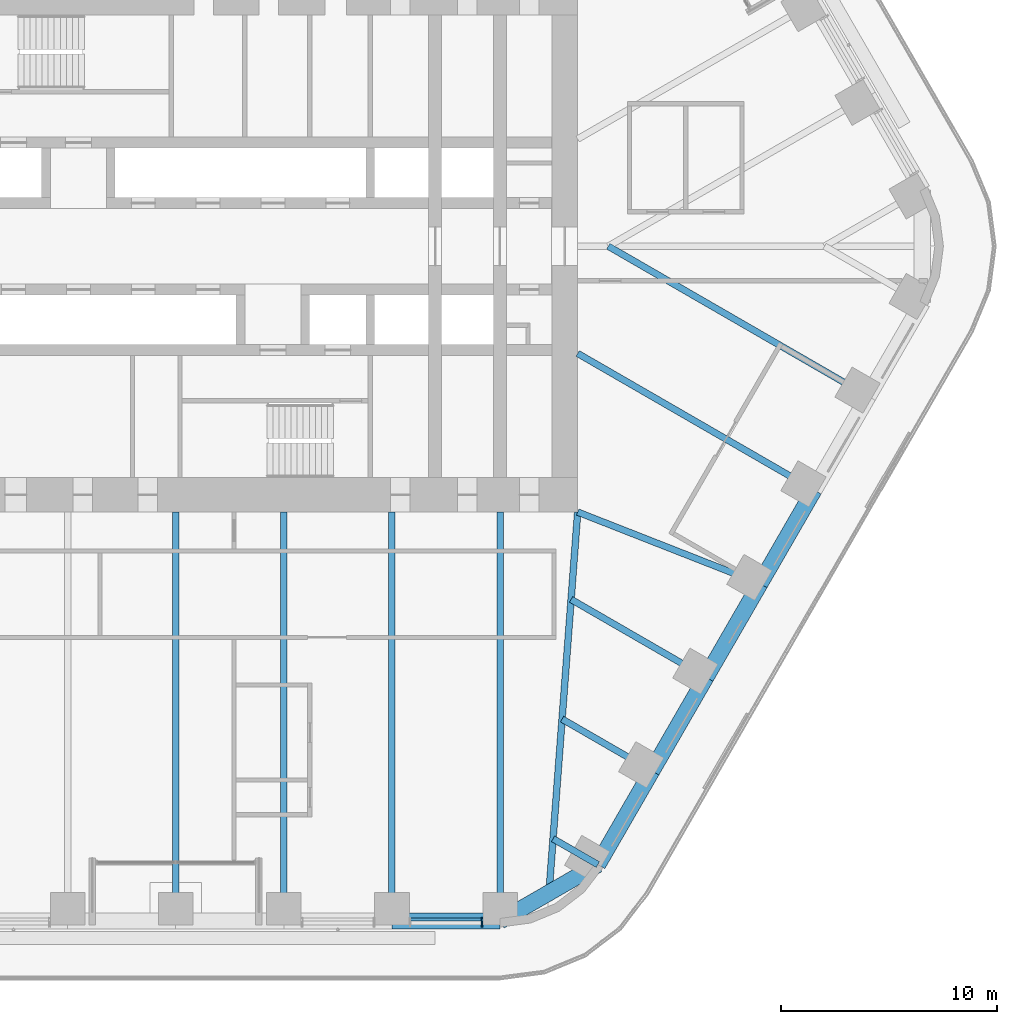
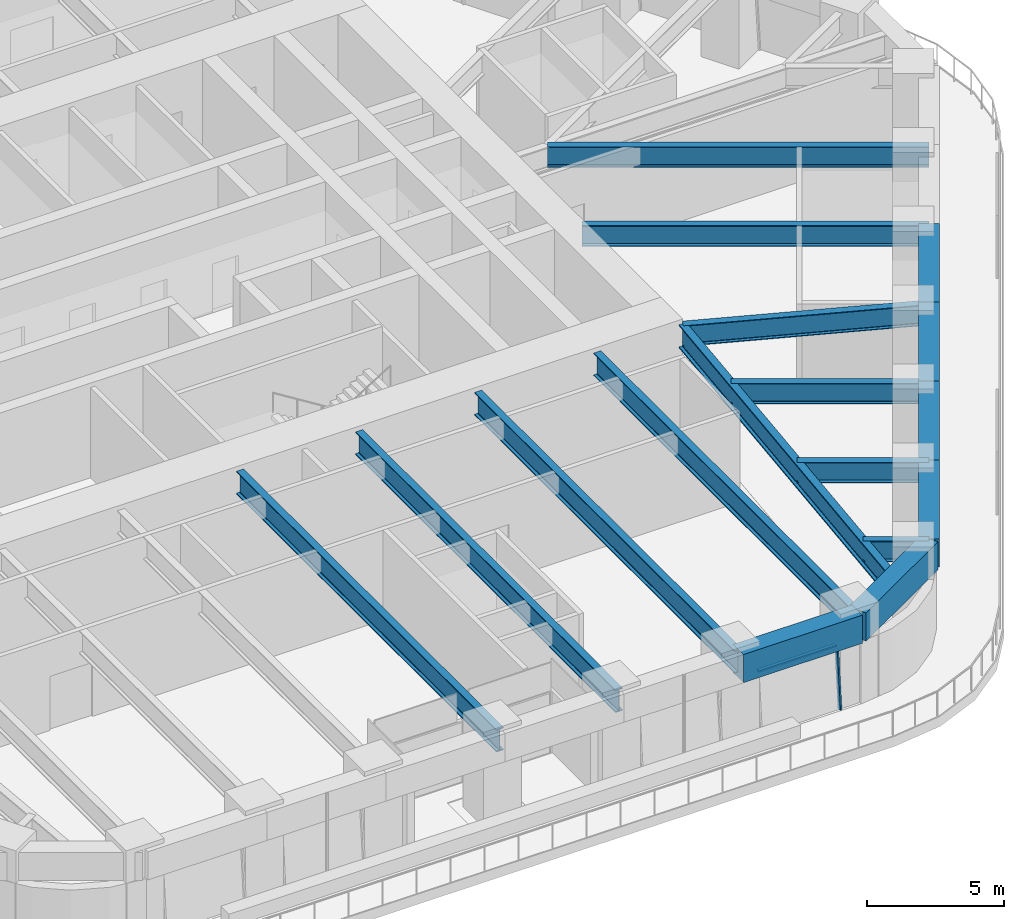
# One storey, part 5 of 24: 17 beams, 2 members, 1 element without a shape of its own.
"""IFC4 building model written with IfcOpenShell, lengths in metres."""

from ifc_helpers import new_model, si_unit, direction, frame, origin, origin_2d, place, context, subcontext, project, spatial, rectangle, i_section, extrude, material, material_profile, profile_set, type_object, element, aggregate, save


model = new_model("IFC4")

# Units and contexts
model_context = context("Model", 3, precision=1e-05, world=origin(), true_north=direction((0.0, 1.0)))
body_context = subcontext(model_context, "Body", "Model", "MODEL_VIEW")
ifc_project = project(units=[si_unit("LENGTHUNIT", "METRE"), si_unit("AREAUNIT", "SQUARE_METRE"), si_unit("VOLUMEUNIT", "CUBIC_METRE"), si_unit("PLANEANGLEUNIT", "RADIAN"), si_unit("MASSUNIT", "GRAM", prefix="KILO")], contexts=[model_context])

# Site, building, storey
site_placement = place(None, origin())
site = spatial("IfcSite", under=ifc_project, at=site_placement, CompositionType="ELEMENT")
building_placement = place(site_placement, origin())
building = spatial("IfcBuilding", under=site, at=building_placement, Name="Tarfa Lantern Tower", CompositionType="ELEMENT")
storey_placement = place(building_placement, frame((0.0, 0.0, 153.10009765625)))
storey = spatial("IfcBuildingStorey", under=building, at=storey_placement, Name="L34", CompositionType="ELEMENT", Elevation=153.10009765625)

# Curtain wall, members
ifc_material_1 = material(Name="Aluminium framed curtain wall", Category="aluminium")
curtain_wall_type = type_object("IfcCurtainWallType", Name="CW2 CANTED GLAZING MID ZONE 2750", PredefinedType="USERDEFINED", material=ifc_material_1)
curtain_wall_placement = place(storey_placement, origin())
curtain_wall = element("IfcCurtainWall", 1, at=curtain_wall_placement, inside=storey, type_object=curtain_wall_type, Name="CW2 SB L34", ObjectType="CURTAIN WALL", PredefinedType="USERDEFINED")
ifc_material_2 = material(Name="Aluminium mullion", Category="aluminium")
ifc_material_profile_1 = material_profile(ifc_material_2, rectangle(XDim=0.06494140625, YDim=0.199951171875, at=origin_2d()), Name="AL MULLION 65x200")
ifc_profile_set_1 = profile_set([ifc_material_profile_1], Name="Aluminium mullion")
member_type_1 = type_object("IfcMemberType", Name="CWM1 MULLION 65x200", PredefinedType="MULLION", material=ifc_profile_set_1)
member_1_placement = place(storey_placement, frame((14.1787109375, -31.39990234375, 0.0), z_axis=(0.0, 0.090535746043, 0.995893206468), x_axis=(-1.0, 0.0, 0.0)))
member_1 = element("IfcMember", 2, at=member_1_placement, type_object=member_type_1, Name="CW2 mullion 2", PredefinedType="MULLION", context=body_context, shape_type="SweptSolid", body=[
    extrude(rectangle(XDim=0.06494140625, YDim=0.199951171875, at=origin_2d()), origin(), (0.0, 0.0, 1.0), 2.76123046875),
])
ifc_material_3 = material(Name="Aluminium transom", Category="aluminium")
ifc_material_profile_2 = material_profile(ifc_material_3, rectangle(XDim=0.14990234375, YDim=0.06494140625, at=origin_2d()), Name="AL TRANSOM 150x65")
ifc_profile_set_2 = profile_set([ifc_material_profile_2], Name="Aluminium transom")
member_type_2 = type_object("IfcMemberType", Name="CWT1 TRANSOM 150x65", PredefinedType="USERDEFINED", material=ifc_profile_set_2)
member_2_placement = place(storey_placement, frame((10.872314453125, -31.153076171875, 2.71728515625), z_axis=(1.0, 0.0, 0.0), x_axis=(0.0, 1.0, 0.0)))
member_2 = element("IfcMember", 3, at=member_2_placement, type_object=member_type_2, Name="CW2 transom 1.2", ObjectType="TRANSOM", PredefinedType="USERDEFINED", context=body_context, shape_type="SweptSolid", body=[
    extrude(rectangle(XDim=0.14990234375, YDim=0.06494140625, at=origin_2d()), origin(), (0.0, 0.0, 1.0), 3.273681640625),
])
aggregate(curtain_wall, [member_1, member_2])

# Beams
ifc_material_4 = material(Name="Concrete C80/95", Category="concrete")
ifc_material_profile_3 = material_profile(ifc_material_4, rectangle(XDim=0.75, YDim=1.25, at=origin_2d()), Name="RC 750x1250")
ifc_profile_set_3 = profile_set([ifc_material_profile_3], Name="Concrete C80/95")
beam_type_1 = type_object("IfcBeamType", Name="EB2 RC 750x1250", PredefinedType="SPANDREL", material=ifc_profile_set_3)
beam_1_placement = place(storey_placement, frame((10.00732421875, -31.219970703125, 3.375), z_axis=(1.0, 0.0, 0.0), x_axis=(0.0, 1.0, 0.0)))
element("IfcBeam", 4, at=beam_1_placement, inside=storey, type_object=beam_type_1, Name="Edge beam S5", PredefinedType="SPANDREL", context=body_context, shape_type="SweptSolid", body=[
    extrude(rectangle(XDim=0.75, YDim=1.25, at=origin_2d()), origin(), (0.0, 0.0, 1.0), 5.003662109375),
])
beam_2_placement = place(storey_placement, frame((15.010986328125, -31.219970703125, 3.375), z_axis=(0.86604150238, 0.499972115377, 0.0), x_axis=(-0.499972115377, 0.86604150238, 0.0)))
element("IfcBeam", 5, at=beam_2_placement, inside=storey, type_object=beam_type_1, Name="Edge beam S6", PredefinedType="SPANDREL", context=body_context, shape_type="SweptSolid", body=[
    extrude(rectangle(XDim=0.75, YDim=1.25, at=origin_2d()), origin(), (0.0, 0.0, 1.0), 5.219970703125),
])
beam_3_placement = place(storey_placement, frame((19.53173828125, -28.610107421875, 3.375), z_axis=(0.500001197378, 0.866024712477, 0.0), x_axis=(-0.866024712477, 0.500001197378, 0.0)))
element("IfcBeam", 6, at=beam_3_placement, inside=storey, type_object=beam_type_1, Name="Edge beam SE0", PredefinedType="SPANDREL", context=body_context, shape_type="SweptSolid", body=[
    extrude(rectangle(XDim=0.75, YDim=1.25, at=origin_2d()), origin(), (0.0, 0.0, 1.0), 5.00390625),
])
for number, where, z_axis, x_axis, name in (
    (7, (22.03369140625, -24.276611328125, 3.375), (0.49998573051, 0.866033642122, 0.0), (-0.866033642122, 0.49998573051, 0.0), "Edge beam SE1"),
    (8, (24.535400390625, -19.943359375, 3.375), (0.500022324899, 0.866012514114, 0.0), (-0.866012514114, 0.500022324899, 0.0), "Edge beam SE2"),
    (9, (27.037353515625, -15.610107421875, 3.375), (0.499964603504, 0.866045838996, 0.0), (-0.866045838996, 0.499964603504, 0.0), "Edge beam SE3"),
):
    element("IfcBeam", number, at=place(storey_placement, frame(where, z_axis=z_axis, x_axis=x_axis)), inside=storey, type_object=beam_type_1, Name=name, PredefinedType="SPANDREL", context=body_context, shape_type="SweptSolid", body=[
        extrude(rectangle(XDim=0.75, YDim=1.25, at=origin_2d()), origin(), (0.0, 0.0, 1.0), 5.003662109375),
    ])
ifc_material_5 = material(Name="Steel S460M", Category="steel")
ifc_material_profile_4 = material_profile(ifc_material_5, i_section(OverallWidth=0.302001953125, OverallDepth=1.008056640625, WebThickness=0.02099609375, FlangeThickness=0.0400390625, FilletRadius=0.030029296875, at=origin_2d()), Name="UB1016x305x349")
ifc_profile_set_4 = profile_set([ifc_material_profile_4], Name="Steel S460M")
beam_type_2 = type_object("IfcBeamType", Name="UB1016x305x349", PredefinedType="BEAM", material=ifc_profile_set_4)
for number, where, z_axis, x_axis, name in (
    (10, (0.0, -31.219970703125, 3.495849609375), (0.0, 1.0, 0.0), (-1.0, 0.0, 0.0), "Floor beam S3"),
    (11, (5.003662109375, -31.219970703125, 3.495849609375), (0.0, 1.0, 0.0), (-1.0, 0.0, 0.0), "Floor beam S4"),
    (12, (10.00732421875, -31.219970703125, 3.495849609375), (0.0, 1.0, 0.0), (-1.0, 0.0, 0.0), "Floor beam S5"),
    (13, (15.010986328125, -31.219970703125, 3.495849609375), (0.0, 1.0, 0.0), (-1.0, 0.0, 0.0), "Floor beam S6"),
):
    element("IfcBeam", number, at=place(storey_placement, frame(where, z_axis=z_axis, x_axis=x_axis)), inside=storey, type_object=beam_type_2, Name=name, PredefinedType="BEAM", context=body_context, shape_type="SweptSolid", body=[
        extrude(i_section(OverallWidth=0.302001953125, OverallDepth=1.008056640625, WebThickness=0.02099609375, FlangeThickness=0.0400390625, FilletRadius=0.030029296875, at=origin_2d()), origin(), (0.0, 0.0, 1.0), 18.919921875),
    ])
ifc_material_profile_5 = material_profile(ifc_material_5, i_section(OverallWidth=0.30859375, OverallDepth=1.036376953125, WebThickness=0.030029296875, FlangeThickness=0.05419921875, FilletRadius=0.030029296875, at=origin_2d()), Name="UB1016x305x487")
ifc_profile_set_5 = profile_set([ifc_material_profile_5], Name="Steel S460M")
beam_type_3 = type_object("IfcBeamType", Name="UB1016x305x487", PredefinedType="BEAM", material=ifc_profile_set_5)
beam_4_placement = place(storey_placement, frame((18.60009765625, -12.300048828125, 3.481689453125), z_axis=(-0.075211516041, -0.99716760269, 0.0), x_axis=(0.99716760269, -0.075211516041, 0.0)))
element("IfcBeam", 14, at=beam_4_placement, inside=storey, type_object=beam_type_3, Name="Hip girder SE", PredefinedType="BEAM", context=body_context, shape_type="SweptSolid", body=[
    extrude(i_section(OverallWidth=0.30859375, OverallDepth=1.036376953125, WebThickness=0.030029296875, FlangeThickness=0.05419921875, FilletRadius=0.030029296875, at=origin_2d()), origin(), (0.0, 0.0, 1.0), 17.6650390625),
])
ifc_material_profile_6 = material_profile(ifc_material_5, i_section(OverallWidth=0.305419921875, OverallDepth=0.91845703125, WebThickness=0.017333984375, FlangeThickness=0.02783203125, FilletRadius=0.01904296875, at=origin_2d()), Name="UB914x305x253")
ifc_profile_set_6 = profile_set([ifc_material_profile_6], Name="Steel S460M")
beam_type_4 = type_object("IfcBeamType", Name="UB914x305x253", PredefinedType="BEAM", material=ifc_profile_set_6)
beam_5_placement = place(storey_placement, frame((19.53173828125, -28.610107421875, 3.540771484375), z_axis=(-0.865998640954, 0.500046351717, 0.0), x_axis=(-0.500046351717, -0.865998640954, 0.0)))
element("IfcBeam", 15, at=beam_5_placement, inside=storey, type_object=beam_type_4, Name="Floor beam SE0", PredefinedType="BEAM", context=body_context, shape_type="SweptSolid", body=[
    extrude(i_section(OverallWidth=0.305419921875, OverallDepth=0.91845703125, WebThickness=0.017333984375, FlangeThickness=0.02783203125, FilletRadius=0.01904296875, at=origin_2d()), origin(), (0.0, 0.0, 1.0), 2.392333984375),
])
beam_6_placement = place(storey_placement, frame((22.03369140625, -24.276611328125, 3.540771484375), z_axis=(-0.866030550462, 0.499991085587, 0.0), x_axis=(-0.499991085587, -0.866030550462, 0.0)))
element("IfcBeam", 16, at=beam_6_placement, inside=storey, type_object=beam_type_4, Name="Floor beam SE1", PredefinedType="BEAM", context=body_context, shape_type="SweptSolid", body=[
    extrude(i_section(OverallWidth=0.305419921875, OverallDepth=0.91845703125, WebThickness=0.017333984375, FlangeThickness=0.02783203125, FilletRadius=0.01904296875, at=origin_2d()), origin(), (0.0, 0.0, 1.0), 4.798828125),
])
beam_7_placement = place(storey_placement, frame((24.535400390625, -19.943359375, 3.540771484375), z_axis=(-0.86602647304, 0.499998147991, 0.0), x_axis=(-0.499998147991, -0.86602647304, 0.0)))
element("IfcBeam", 17, at=beam_7_placement, inside=storey, type_object=beam_type_4, Name="Floor beam SE2", PredefinedType="BEAM", context=body_context, shape_type="SweptSolid", body=[
    extrude(i_section(OverallWidth=0.305419921875, OverallDepth=0.91845703125, WebThickness=0.017333984375, FlangeThickness=0.02783203125, FilletRadius=0.01904296875, at=origin_2d()), origin(), (0.0, 0.0, 1.0), 7.20556640625),
])
beam_8_placement = place(storey_placement, frame((27.037353515625, -15.610107421875, 3.540771484375), z_axis=(-0.930923282782, 0.365214788274, 0.0), x_axis=(-0.365214788274, -0.930923282782, 0.0)))
element("IfcBeam", 18, at=beam_8_placement, inside=storey, type_object=beam_type_4, Name="Floor beam SE3", PredefinedType="BEAM", context=body_context, shape_type="SweptSolid", body=[
    extrude(i_section(OverallWidth=0.305419921875, OverallDepth=0.91845703125, WebThickness=0.017333984375, FlangeThickness=0.02783203125, FilletRadius=0.01904296875, at=origin_2d()), origin(), (0.0, 0.0, 1.0), 9.063232421875),
])
beam_9_placement = place(storey_placement, frame((29.5390625, -11.276611328125, 3.540771484375), z_axis=(-0.866023362995, 0.500003534735, 0.0), x_axis=(-0.500003534735, -0.866023362995, 0.0)))
element("IfcBeam", 19, at=beam_9_placement, inside=storey, type_object=beam_type_4, Name="Floor beam SE4", PredefinedType="BEAM", context=body_context, shape_type="SweptSolid", body=[
    extrude(i_section(OverallWidth=0.305419921875, OverallDepth=0.91845703125, WebThickness=0.017333984375, FlangeThickness=0.02783203125, FilletRadius=0.01904296875, at=origin_2d()), origin(), (0.0, 0.0, 1.0), 12.63134765625),
])
beam_10_placement = place(storey_placement, frame((32.041015625, -6.943359375, 3.540771484375), z_axis=(-0.866023096411, 0.500003996466, 0.0), x_axis=(-0.500003996466, -0.866023096411, 0.0)))
element("IfcBeam", 20, at=beam_10_placement, inside=storey, type_object=beam_type_4, Name="Floor beam SE5", PredefinedType="BEAM", context=body_context, shape_type="SweptSolid", body=[
    extrude(i_section(OverallWidth=0.305419921875, OverallDepth=0.91845703125, WebThickness=0.017333984375, FlangeThickness=0.02783203125, FilletRadius=0.01904296875, at=origin_2d()), origin(), (0.0, 0.0, 1.0), 13.88671875),
])

save(model, "model.ifc")
